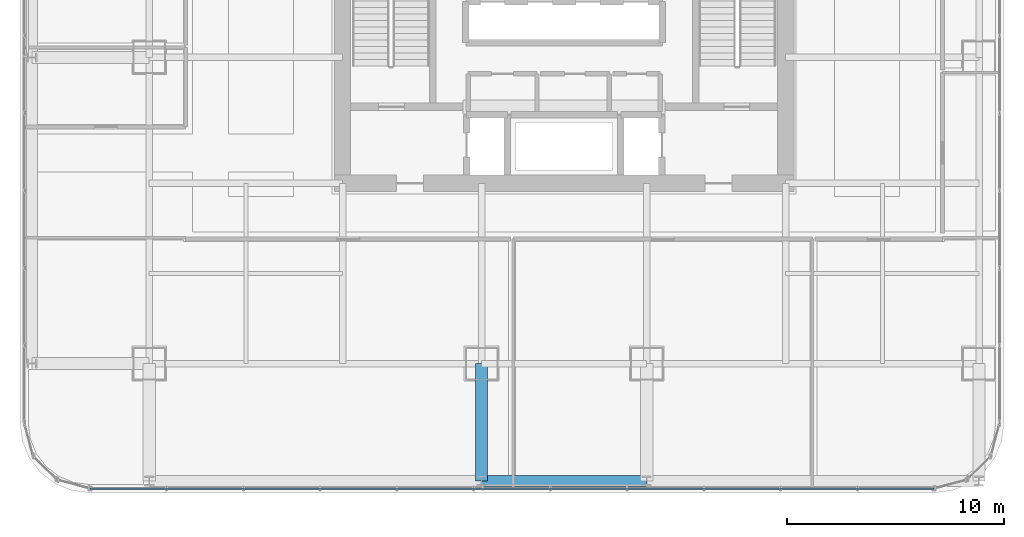
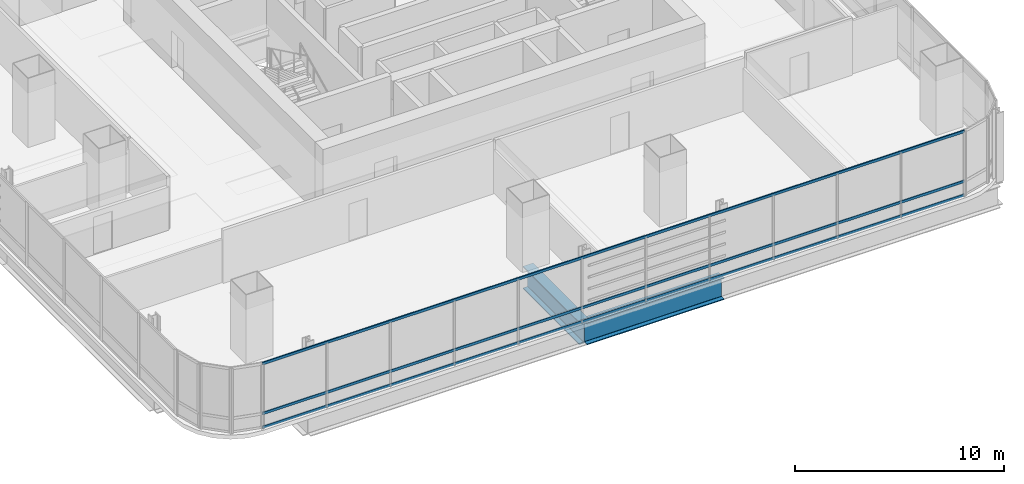
# One storey, part 7 of 36: 3 members, 2 beams, 1 element without a shape of its own.
"""IFC4 building model written with IfcOpenShell, lengths in metres."""

from ifc_helpers import new_model, si_unit, direction, frame, origin, origin_2d, place, context, subcontext, project, spatial, hollow_rectangle, i_section, extrude, material, material_profile, profile_set, type_object, element, aggregate, save


model = new_model("IFC4")

# Units and contexts
model_context = context("Model", 3, precision=1e-05, world=origin(), true_north=direction((0.0, 1.0)))
body_context = subcontext(model_context, "Body", "Model", "MODEL_VIEW")
ifc_project = project(units=[si_unit("LENGTHUNIT", "METRE"), si_unit("AREAUNIT", "SQUARE_METRE"), si_unit("VOLUMEUNIT", "CUBIC_METRE"), si_unit("PLANEANGLEUNIT", "RADIAN"), si_unit("MASSUNIT", "GRAM", prefix="KILO")], contexts=[model_context])

# Site, building, storey
site_placement = place(None, origin())
site = spatial("IfcSite", under=ifc_project, at=site_placement, CompositionType="ELEMENT")
building_placement = place(site_placement, origin())
building = spatial("IfcBuilding", under=site, at=building_placement, Name="Punatoya Terracotta Tower", CompositionType="ELEMENT")
storey_placement = place(building_placement, frame((0.0, 0.0, 40.35009765625)))
storey = spatial("IfcBuildingStorey", under=building, at=storey_placement, Name="L08", CompositionType="ELEMENT", Elevation=40.35009765625)

# Beams
ifc_material_1 = material(Name="Steel S460", Category="steel")
ifc_material_profile_1 = material_profile(ifc_material_1, i_section(OverallWidth=0.56005859375, OverallDepth=1.320068359375, WebThickness=0.035888671875, FlangeThickness=0.054931640625, FilletRadius=0.01806640625, at=origin_2d()))
ifc_profile_set_1 = profile_set([ifc_material_profile_1], Name="Steel S460")
beam_type_1 = type_object("IfcBeamType", Name="BM-TG-BLK", PredefinedType="BEAM", material=ifc_profile_set_1)
beam_1_placement = place(storey_placement, frame((-3.800048828125, -22.89990234375, -0.900146484375), z_axis=(0.0, 1.0, 0.0), x_axis=(-1.0, 0.0, 0.0)))
element("IfcBeam", 1, at=beam_1_placement, inside=storey, type_object=beam_type_1, Name="BM-L08-CANT-S2", PredefinedType="BEAM", context=body_context, shape_type="SweptSolid", body=[
    extrude(i_section(OverallWidth=0.56005859375, OverallDepth=1.320068359375, WebThickness=0.035888671875, FlangeThickness=0.054931640625, FilletRadius=0.01806640625, at=origin_2d()), origin(), (0.0, 0.0, 1.0), 5.39990234375),
])
ifc_material_profile_2 = material_profile(ifc_material_1, i_section(OverallWidth=0.52001953125, OverallDepth=1.280029296875, WebThickness=0.031982421875, FlangeThickness=0.050048828125, FilletRadius=0.01806640625, at=origin_2d()))
ifc_profile_set_2 = profile_set([ifc_material_profile_2], Name="Steel S460")
beam_type_2 = type_object("IfcBeamType", Name="BM-TG-NCK", PredefinedType="BEAM", material=ifc_profile_set_2)
beam_2_placement = place(storey_placement, frame((-3.800048828125, -22.89990234375, -0.880126953125), z_axis=(1.0, 0.0, 0.0), x_axis=(0.0, 1.0, 0.0)))
element("IfcBeam", 2, at=beam_2_placement, inside=storey, type_object=beam_type_2, Name="BM-L08-PER-S2", PredefinedType="BEAM", context=body_context, shape_type="SweptSolid", body=[
    extrude(i_section(OverallWidth=0.52001953125, OverallDepth=1.280029296875, WebThickness=0.031982421875, FlangeThickness=0.050048828125, FilletRadius=0.01806640625, at=origin_2d()), origin(), (0.0, 0.0, 1.0), 7.60009765625),
])

# Curtain wall, members
ifc_material_2 = material(Name="Aluminium 6063-T6 + Double Low-E Glass", Category="aluminium")
curtain_wall_type = type_object("IfcCurtainWallType", Name="CW-M1", PredefinedType="NOTDEFINED", material=ifc_material_2)
curtain_wall_placement = place(storey_placement, origin())
curtain_wall = element("IfcCurtainWall", 3, at=curtain_wall_placement, inside=storey, type_object=curtain_wall_type, Name="L08 Curtain Wall CW-L08-S01-1", PredefinedType="NOTDEFINED")
ifc_material_3 = material(Name="Aluminium 6063-T6", Category="aluminium")
ifc_material_profile_3 = material_profile(ifc_material_3, hollow_rectangle(XDim=0.068115234375, YDim=0.14990234375, WallThickness=0.00390625, at=origin_2d()))
ifc_profile_set_3 = profile_set([ifc_material_profile_3], Name="Aluminium 6063-T6")
member_type = type_object("IfcMemberType", Name="CW-TRN-TYP", PredefinedType="USERDEFINED", material=ifc_profile_set_3)
member_1_placement = place(storey_placement, frame((-21.8369140625, -23.25, 0.039794921875), z_axis=(1.0, 0.0, 0.0), x_axis=(0.0, 1.0, 0.0)))
member_1 = element("IfcMember", 4, at=member_1_placement, type_object=member_type, Name="CW-L08-S01-1 Transom 1", ObjectType="TRANSOM", PredefinedType="USERDEFINED", context=body_context, shape_type="SweptSolid", body=[
    extrude(hollow_rectangle(XDim=0.068115234375, YDim=0.14990234375, WallThickness=0.00390625, at=origin_2d()), origin(), (0.0, 0.0, 1.0), 38.873779296875),
])
member_2_placement = place(storey_placement, frame((-21.8369140625, -23.25, 0.849853515625), z_axis=(1.0, 0.0, 0.0), x_axis=(0.0, 1.0, 0.0)))
member_2 = element("IfcMember", 5, at=member_2_placement, type_object=member_type, Name="CW-L08-S01-1 Transom 2", ObjectType="TRANSOM", PredefinedType="USERDEFINED", context=body_context, shape_type="SweptSolid", body=[
    extrude(hollow_rectangle(XDim=0.068115234375, YDim=0.14990234375, WallThickness=0.00390625, at=origin_2d()), origin(), (0.0, 0.0, 1.0), 38.873779296875),
])
member_3_placement = place(storey_placement, frame((-21.8369140625, -23.25, 3.77001953125), z_axis=(1.0, 0.0, 0.0), x_axis=(0.0, 1.0, 0.0)))
member_3 = element("IfcMember", 6, at=member_3_placement, type_object=member_type, Name="CW-L08-S01-1 Transom 3", ObjectType="TRANSOM", PredefinedType="USERDEFINED", context=body_context, shape_type="SweptSolid", body=[
    extrude(hollow_rectangle(XDim=0.068115234375, YDim=0.14990234375, WallThickness=0.00390625, at=origin_2d()), origin(), (0.0, 0.0, 1.0), 38.873779296875),
])
aggregate(curtain_wall, [member_1, member_2, member_3])

save(model, "model.ifc")
